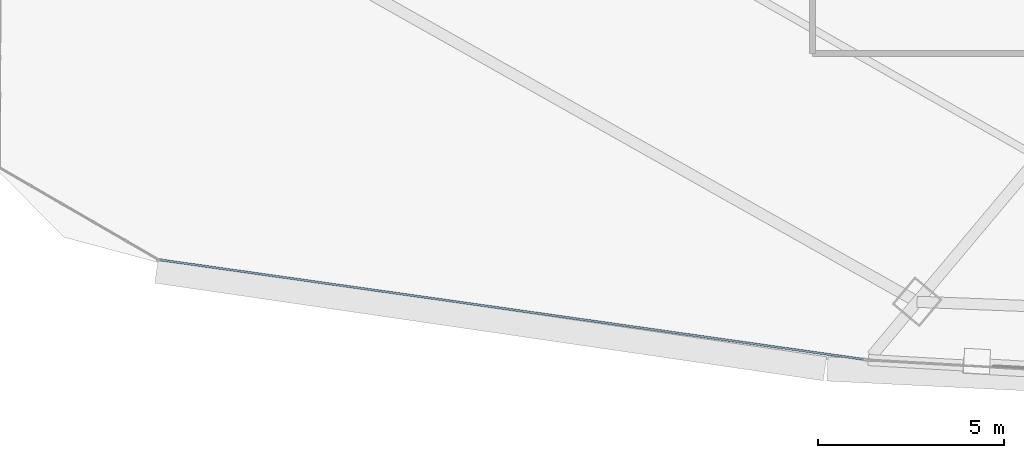
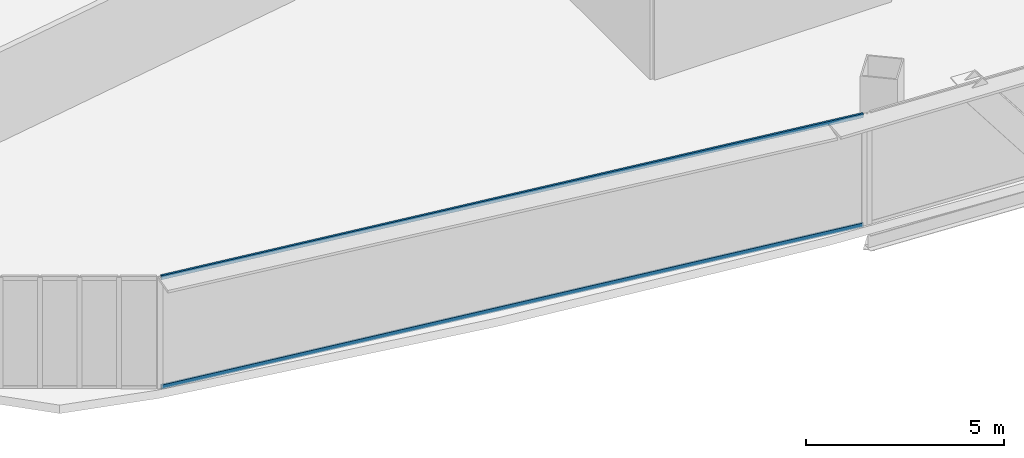
# One storey, part 3 of 42: 2 members, 1 element without a shape of its own.
"""IFC4 building model written with IfcOpenShell, lengths in metres."""

from ifc_helpers import new_model, si_unit, direction, frame, origin, origin_2d, place, context, subcontext, project, spatial, hollow_rectangle, extrude, source, transform, mapped, material, layer, layer_set, material_profile, profile_set, type_object, element, aggregate, save


model = new_model("IFC4")

# Units and contexts
model_context = context("Model", 3, precision=1e-05, world=origin(), true_north=direction((0.0, 1.0)))
body_context = subcontext(model_context, "Body", "Model", "MODEL_VIEW")
ifc_project = project(units=[si_unit("LENGTHUNIT", "METRE"), si_unit("AREAUNIT", "SQUARE_METRE"), si_unit("VOLUMEUNIT", "CUBIC_METRE"), si_unit("PLANEANGLEUNIT", "RADIAN"), si_unit("MASSUNIT", "GRAM", prefix="KILO"), si_unit("THERMODYNAMICTEMPERATUREUNIT", "KELVIN"), si_unit("POWERUNIT", "WATT")], contexts=[model_context])

# Site, building, storey
site_placement = place(None, origin())
site = spatial("IfcSite", under=ifc_project, at=site_placement, CompositionType="ELEMENT")
building_placement = place(site_placement, origin())
building = spatial("IfcBuilding", under=site, at=building_placement, Name="Yunzhuo Pagoda Commons", CompositionType="ELEMENT")
storey_placement = place(building_placement, frame((0.0, 0.0, 137.18994140625)))
storey = spatial("IfcBuildingStorey", under=building, at=storey_placement, Name="L34", CompositionType="ELEMENT", Elevation=137.18994140625)

# Curtain wall, members
ifc_material = material(Name="Anodized aluminium 6063-T6", Category="aluminium")
ifc_layer = layer(ifc_material, 0.14990234375)
ifc_layer_set = layer_set([ifc_layer], Name="Anodized aluminium 6063-T6")
curtain_wall_type = type_object("IfcCurtainWallType", Name="CW-MID Mid-Zone Ribbon Curtain Wall", PredefinedType="NOTDEFINED", material=ifc_layer_set)
curtain_wall_placement = place(storey_placement, origin())
curtain_wall = element("IfcCurtainWall", 1, at=curtain_wall_placement, inside=storey, type_object=curtain_wall_type, Name="L34 curtain wall CW-L34-F1B1", PredefinedType="NOTDEFINED")
ifc_material_profile = material_profile(ifc_material, hollow_rectangle(XDim=0.054931640625, YDim=0.1298828125, WallThickness=0.00341796875, at=origin_2d()), Name="Anodized aluminium 6063-T6")
ifc_profile_set = profile_set([ifc_material_profile], Name="Anodized aluminium 6063-T6")
member_type = type_object("IfcMemberType", Name="CW-MID-T Transom RHS 130x55x3.5", PredefinedType="USERDEFINED", material=ifc_profile_set)
shared_shape = source(origin(), body_context, "Body", "SweptSolid", [
    extrude(hollow_rectangle(XDim=0.054931640625, YDim=0.1298828125, WallThickness=0.00341796875, at=origin_2d()), origin(), (0.0, 0.0, 1.0), 19.068603515625),
])
member_1_placement = place(storey_placement, frame((12.08740234375, 16.25048828125, 0.027587890625), z_axis=(0.990147224482, -0.140030260479, 0.0), x_axis=(0.140030260479, 0.990147224482, 0.0)))
member_1 = element("IfcMember", 2, at=member_1_placement, type_object=member_type, Name="CW transom 1.1", ObjectType="TRANSOM", PredefinedType="USERDEFINED", context=body_context, shape_type="MappedRepresentation", body=[
    mapped(shared_shape, transform((0.0, 0.0, 0.0), scale=1.0)),
])
member_2_placement = place(storey_placement, frame((12.08740234375, 16.25048828125, 3.392822265625), z_axis=(0.990147224482, -0.140030260479, 0.0), x_axis=(0.140030260479, 0.990147224482, 0.0)))
member_2 = element("IfcMember", 3, at=member_2_placement, type_object=member_type, Name="CW transom 1.2", ObjectType="TRANSOM", PredefinedType="USERDEFINED", context=body_context, shape_type="MappedRepresentation", body=[
    mapped(shared_shape, transform((0.0, 0.0, 0.0), scale=1.0)),
])
aggregate(curtain_wall, [member_1, member_2])

save(model, "model.ifc")
